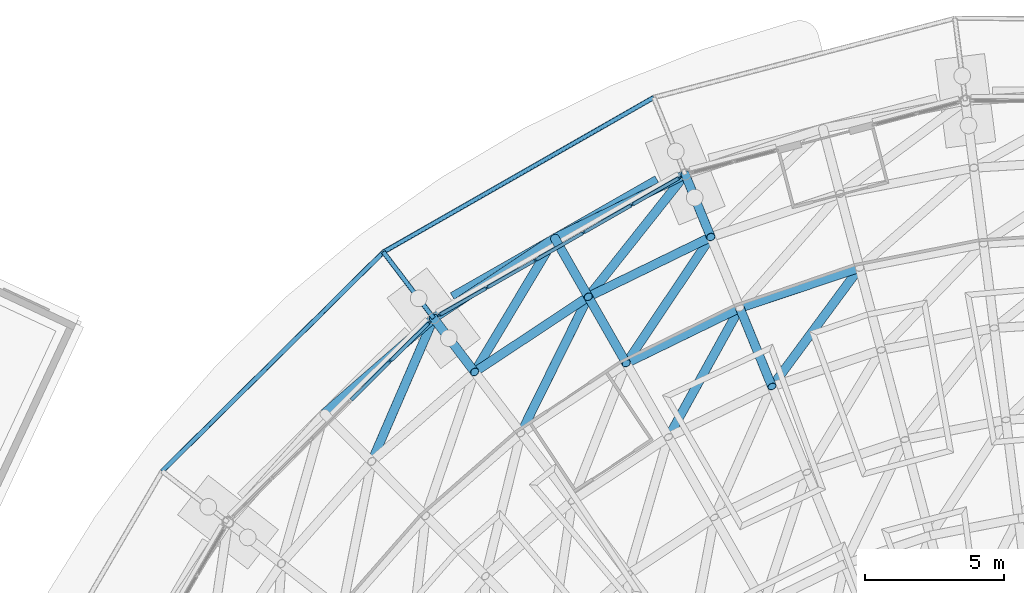
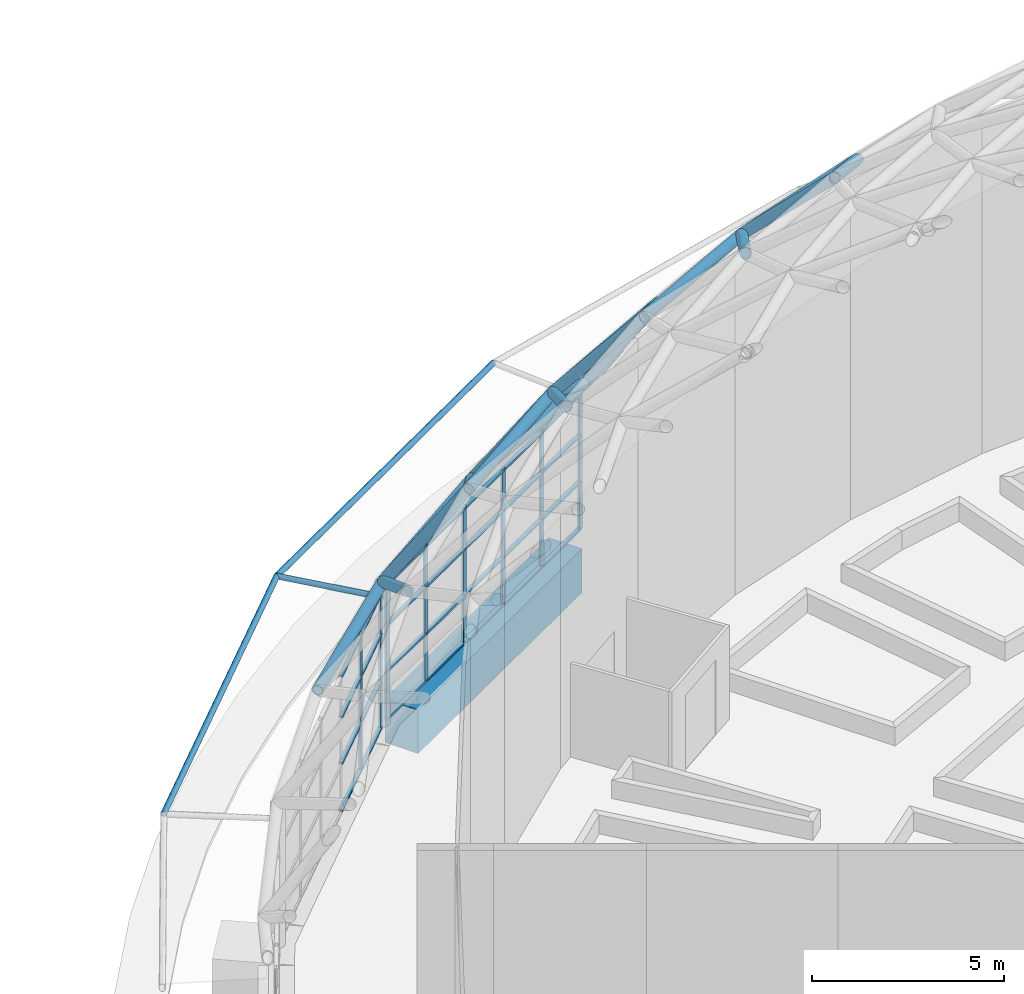
# One storey, part 116 of 226: 58 members, 1 beam, 2 elements without a shape of their own.
"""IFC4 building model written with IfcOpenShell, lengths in metres."""

from ifc_helpers import new_model, si_unit, direction, frame, origin, origin_2d, place, context, subcontext, project, spatial, rectangle, hollow_circle, extrude, material, material_profile, profile_set, type_object, element, aggregate, save


model = new_model("IFC4")

# Units and contexts
model_context = context("Model", 3, precision=1e-05, world=origin(), true_north=direction((0.0, 1.0)))
body_context = subcontext(model_context, "Body", "Model", "MODEL_VIEW")
ifc_project = project(units=[si_unit("LENGTHUNIT", "METRE"), si_unit("AREAUNIT", "SQUARE_METRE"), si_unit("VOLUMEUNIT", "CUBIC_METRE"), si_unit("PLANEANGLEUNIT", "RADIAN"), si_unit("MASSUNIT", "GRAM", prefix="KILO")], contexts=[model_context])

# Site, building, storey
site_placement = place(None, origin())
site = spatial("IfcSite", under=ifc_project, at=site_placement, CompositionType="ELEMENT")
building_placement = place(site_placement, origin())
building = spatial("IfcBuilding", under=site, at=building_placement, Name="Ceibo Conservatory and Research Tower", CompositionType="ELEMENT")
storey_placement = place(building_placement, origin())
storey = spatial("IfcBuildingStorey", under=building, at=storey_placement, Name="L00", CompositionType="ELEMENT", Elevation=0.0)

# Members
ifc_material_1 = material(Name="Steel ASTM A500 Gr C", Category="steel")
ifc_material_profile_1 = material_profile(ifc_material_1, hollow_circle(Radius=0.084228515625, WallThickness=0.007080078125, at=origin_2d()), Name="CHS 168.3x7.11")
ifc_profile_set_1 = profile_set([ifc_material_profile_1], Name="Steel ASTM A500 Gr C")
member_type_1 = type_object("IfcMemberType", Name="CHS 168.3x7.11", PredefinedType="NOTDEFINED", material=ifc_profile_set_1)
member_1_placement = place(storey_placement, frame((131.788330078125, 139.840087890625, 4.0), z_axis=(-0.604686898165, 0.795165709997, -0.045445008883), x_axis=(-0.79598809156, -0.605312281467, 0.0)))
element("IfcMember", 1, at=member_1_placement, inside=storey, type_object=member_type_1, Name="Brim brace bracket A-BK09", PredefinedType="BRACE", context=body_context, shape_type="SweptSolid", body=[
    extrude(hollow_circle(Radius=0.084228515625, WallThickness=0.007080078125, at=origin_2d()), origin(), (0.0, 0.0, 1.0), 3.003173828125),
])
member_2_placement = place(storey_placement, frame((139.718017578125, 147.79833984375, 3.863525390625), z_axis=(-0.868189600267, -0.496232624873, 0.0), x_axis=(0.496232624873, -0.868189600267, 0.0)))
element("IfcMember", 2, at=member_2_placement, inside=storey, type_object=member_type_1, Name="Brim tip ring A-TR12", PredefinedType="CHORD", context=body_context, shape_type="SweptSolid", body=[
    extrude(hollow_circle(Radius=0.084228515625, WallThickness=0.007080078125, at=origin_2d()), origin(), (0.0, 0.0, 1.0), 11.22509765625),
])
member_3_placement = place(storey_placement, frame((129.972412109375, 142.22802734375, 3.863525390625), z_axis=(-0.710199253908, -0.704000724253, 0.0), x_axis=(0.704000724253, -0.710199253908, 0.0)))
element("IfcMember", 3, at=member_3_placement, inside=storey, type_object=member_type_1, Name="Brim tip ring A-TR13", PredefinedType="CHORD", context=body_context, shape_type="SweptSolid", body=[
    extrude(hollow_circle(Radius=0.084228515625, WallThickness=0.007080078125, at=origin_2d()), origin(), (0.0, 0.0, 1.0), 11.225341796875),
])
ifc_material_profile_2 = material_profile(ifc_material_1, hollow_circle(Radius=0.161865234375, WallThickness=0.01025390625, at=origin_2d()), Name="CHS 323.9x10.31")
ifc_profile_set_2 = profile_set([ifc_material_profile_2], Name="Steel ASTM A500 Gr C")
member_type_2 = type_object("IfcMemberType", Name="CHS 323.9x10.31", PredefinedType="NOTDEFINED", material=ifc_profile_set_2)
member_4_placement = place(storey_placement, frame((141.77587890625, 142.76806640625, 8.115966796875), z_axis=(-0.898767012924, -0.438426569084, 0.0), x_axis=(0.438426569084, -0.898767012924, 0.0)))
element("IfcMember", 4, at=member_4_placement, inside=storey, type_object=member_type_2, Name="Gridshell member A-C02-15", PredefinedType="CHORD", context=body_context, shape_type="SweptSolid", body=[
    extrude(hollow_circle(Radius=0.161865234375, WallThickness=0.01025390625, at=origin_2d()), origin(), (0.0, 0.0, 1.0), 4.9130859375),
])
member_5_placement = place(storey_placement, frame((137.360107421875, 140.614013671875, 8.115966796875), z_axis=(-0.833940947759, -0.551853690439, 0.0), x_axis=(0.551853690439, -0.833940947759, 0.0)))
element("IfcMember", 5, at=member_5_placement, inside=storey, type_object=member_type_2, Name="Gridshell member A-C02-16", PredefinedType="CHORD", context=body_context, shape_type="SweptSolid", body=[
    extrude(hollow_circle(Radius=0.161865234375, WallThickness=0.01025390625, at=origin_2d()), origin(), (0.0, 0.0, 1.0), 4.914306640625),
])
member_6_placement = place(storey_placement, frame((147.138916015625, 141.657958984375, 11.489013671875), z_axis=(-0.948301917191, -0.31736961709, 0.0), x_axis=(0.31736961709, -0.948301917191, 0.0)))
element("IfcMember", 6, at=member_6_placement, inside=storey, type_object=member_type_2, Name="Gridshell member A-C03-14", PredefinedType="CHORD", context=body_context, shape_type="SweptSolid", body=[
    extrude(hollow_circle(Radius=0.161865234375, WallThickness=0.01025390625, at=origin_2d()), origin(), (0.0, 0.0, 1.0), 4.55322265625),
])
member_7_placement = place(storey_placement, frame((142.821044921875, 140.212890625, 11.489013671875), z_axis=(-0.898876140445, -0.43820278883, 0.0), x_axis=(0.43820278883, -0.898876140445, 0.0)))
element("IfcMember", 7, at=member_7_placement, inside=storey, type_object=member_type_2, Name="Gridshell member A-C03-15", PredefinedType="CHORD", context=body_context, shape_type="SweptSolid", body=[
    extrude(hollow_circle(Radius=0.161865234375, WallThickness=0.01025390625, at=origin_2d()), origin(), (0.0, 0.0, 1.0), 4.552490234375),
])
ifc_material_profile_3 = material_profile(ifc_material_1, hollow_circle(Radius=0.161865234375, WallThickness=0.01416015625, at=origin_2d()), Name="CHS 323.9x14.27")
ifc_profile_set_3 = profile_set([ifc_material_profile_3], Name="Steel ASTM A500 Gr C")
member_type_3 = type_object("IfcMemberType", Name="CHS 323.9x14.27", PredefinedType="NOTDEFINED", material=ifc_profile_set_3)
member_8_placement = place(storey_placement, frame((140.85400390625, 145.02197265625, 4.5), z_axis=(0.211463901596, -0.517011318733, 0.829446993257), x_axis=(0.925572506321, 0.378570383868, 0.0)))
element("IfcMember", 8, at=member_8_placement, inside=storey, type_object=member_type_3, Name="Gridshell member A-M15-01", PredefinedType="RAFTER", context=body_context, shape_type="SweptSolid", body=[
    extrude(hollow_circle(Radius=0.161865234375, WallThickness=0.01416015625, at=origin_2d()), origin(), (0.0, 0.0, 1.0), 4.359375),
])
member_9_placement = place(storey_placement, frame((136.15087890625, 142.72802734375, 4.5), z_axis=(0.277368582794, -0.48490501886, 0.829417742735), x_axis=(0.868027146183, 0.496516740391, 0.0)))
element("IfcMember", 9, at=member_9_placement, inside=storey, type_object=member_type_3, Name="Gridshell member A-M16-01", PredefinedType="RAFTER", context=body_context, shape_type="SweptSolid", body=[
    extrude(hollow_circle(Radius=0.161865234375, WallThickness=0.01416015625, at=origin_2d()), origin(), (0.0, 0.0, 1.0), 4.359619140625),
])
member_10_placement = place(storey_placement, frame((131.7880859375, 139.840087890625, 4.5), z_axis=(0.338100956033, -0.444566074041, 0.829487039887), x_axis=(0.795963131494, 0.605345102649, 0.0)))
element("IfcMember", 10, at=member_10_placement, inside=storey, type_object=member_type_3, Name="Gridshell member A-M17-01", PredefinedType="RAFTER", context=body_context, shape_type="SweptSolid", body=[
    extrude(hollow_circle(Radius=0.161865234375, WallThickness=0.01416015625, at=origin_2d()), origin(), (0.0, 0.0, 1.0), 4.359375),
])
member_11_placement = place(storey_placement, frame((137.360107421875, 140.614013671875, 8.115966796875), z_axis=(0.314111534403, -0.549793222513, 0.773990540274), x_axis=(0.868281251326, 0.496072241307, 0.0)))
element("IfcMember", 11, at=member_11_placement, inside=storey, type_object=member_type_3, Name="Gridshell member A-M16-02", PredefinedType="RAFTER", context=body_context, shape_type="SweptSolid", body=[
    extrude(hollow_circle(Radius=0.161865234375, WallThickness=0.01416015625, at=origin_2d()), origin(), (0.0, 0.0, 1.0), 4.35791015625),
])
member_12_placement = place(storey_placement, frame((142.821044921875, 140.212890625, 11.489013671875), z_axis=(0.266105010846, -0.650167746981, 0.71166707384), x_axis=(0.925483442956, 0.378788063188, 0.0)))
element("IfcMember", 12, at=member_12_placement, inside=storey, type_object=member_type_3, Name="Gridshell member A-M15-03", PredefinedType="RAFTER", context=body_context, shape_type="SweptSolid", body=[
    extrude(hollow_circle(Radius=0.161865234375, WallThickness=0.01416015625, at=origin_2d()), origin(), (0.0, 0.0, 1.0), 4.35888671875),
])
ifc_material_2 = material(Name="Steel S355J2H", Category="steel")
ifc_material_profile_4 = material_profile(ifc_material_2, hollow_circle(Radius=0.161865234375, WallThickness=0.025390625, at=origin_2d()), Name="CHS 323.9x25.40")
ifc_profile_set_4 = profile_set([ifc_material_profile_4], Name="Steel S355J2H")
member_type_4 = type_object("IfcMemberType", Name="CHS 323.9x25.40", PredefinedType="NOTDEFINED", material=ifc_profile_set_4)
member_13_placement = place(storey_placement, frame((140.85400390625, 145.02197265625, 4.5), z_axis=(-0.898788174479, -0.4383831856, 0.0), x_axis=(0.4383831856, -0.898788174479, 0.0)))
element("IfcMember", 13, at=member_13_placement, inside=storey, type_object=member_type_4, Name="Gridshell member A-C01-15", PredefinedType="CHORD", context=body_context, shape_type="SweptSolid", body=[
    extrude(hollow_circle(Radius=0.161865234375, WallThickness=0.025390625, at=origin_2d()), origin(), (0.0, 0.0, 1.0), 5.232666015625),
])
member_14_placement = place(storey_placement, frame((136.15087890625, 142.72802734375, 4.5), z_axis=(-0.83386208918, -0.551972840118, 0.0), x_axis=(0.551972840118, -0.83386208918, 0.0)))
element("IfcMember", 14, at=member_14_placement, inside=storey, type_object=member_type_4, Name="Gridshell member A-C01-16", PredefinedType="CHORD", context=body_context, shape_type="SweptSolid", body=[
    extrude(hollow_circle(Radius=0.161865234375, WallThickness=0.025390625, at=origin_2d()), origin(), (0.0, 0.0, 1.0), 5.23193359375),
])
member_15_placement = place(storey_placement, frame((131.7880859375, 139.840087890625, 4.5), z_axis=(-0.754679847379, -0.656093231149, 0.0), x_axis=(0.656093231149, -0.754679847379, 0.0)))
element("IfcMember", 15, at=member_15_placement, inside=storey, type_object=member_type_4, Name="Gridshell member A-C01-17", PredefinedType="CHORD", context=body_context, shape_type="SweptSolid", body=[
    extrude(hollow_circle(Radius=0.161865234375, WallThickness=0.025390625, at=origin_2d()), origin(), (0.0, 0.0, 1.0), 5.232666015625),
])
ifc_material_profile_5 = material_profile(ifc_material_1, hollow_circle(Radius=0.161865234375, WallThickness=0.00830078125, at=origin_2d()), Name="CHS 323.9x8.38")
ifc_profile_set_5 = profile_set([ifc_material_profile_5], Name="Steel ASTM A500 Gr C")
member_type_5 = type_object("IfcMemberType", Name="CHS 323.9x8.38", PredefinedType="NOTDEFINED", material=ifc_profile_set_5)
member_16_placement = place(storey_placement, frame((140.85400390625, 145.02197265625, 4.5), z_axis=(-0.522510378698, -0.659207944056, 0.540765929627), x_axis=(0.783676905885, -0.621168662427, 0.0)))
element("IfcMember", 16, at=member_16_placement, inside=storey, type_object=member_type_5, Name="Gridshell diagonal member A-D01-15", PredefinedType="BRACE", context=body_context, shape_type="SweptSolid", body=[
    extrude(hollow_circle(Radius=0.161865234375, WallThickness=0.00830078125, at=origin_2d()), origin(), (0.0, 0.0, 1.0), 6.686767578125),
])
member_17_placement = place(storey_placement, frame((136.15087890625, 142.72802734375, 4.5), z_axis=(-0.432045535026, -0.721731098694, 0.540778029178), x_axis=(0.858013362491, -0.513627364717, 0.0)))
element("IfcMember", 17, at=member_17_placement, inside=storey, type_object=member_type_5, Name="Gridshell diagonal member A-D01-16", PredefinedType="BRACE", context=body_context, shape_type="SweptSolid", body=[
    extrude(hollow_circle(Radius=0.161865234375, WallThickness=0.00830078125, at=origin_2d()), origin(), (0.0, 0.0, 1.0), 6.6865234375),
])
member_18_placement = place(storey_placement, frame((131.7880859375, 139.840087890625, 4.5), z_axis=(-0.334108240434, -0.771979525269, 0.540758075519), x_axis=(0.917736049525, -0.397190814851, 0.0)))
element("IfcMember", 18, at=member_18_placement, inside=storey, type_object=member_type_5, Name="Gridshell diagonal member A-D01-17", PredefinedType="BRACE", context=body_context, shape_type="SweptSolid", body=[
    extrude(hollow_circle(Radius=0.161865234375, WallThickness=0.00830078125, at=origin_2d()), origin(), (0.0, 0.0, 1.0), 6.686767578125),
])
member_19_placement = place(storey_placement, frame((141.77587890625, 142.76806640625, 8.115966796875), z_axis=(-0.473744552646, -0.707466124011, 0.524459514371), x_axis=(0.83090993754, -0.556406933546, 0.0)))
element("IfcMember", 19, at=member_19_placement, inside=storey, type_object=member_type_5, Name="Gridshell diagonal member A-D02-15", PredefinedType="BRACE", context=body_context, shape_type="SweptSolid", body=[
    extrude(hollow_circle(Radius=0.161865234375, WallThickness=0.00830078125, at=origin_2d()), origin(), (0.0, 0.0, 1.0), 6.431396484375),
])
member_20_placement = place(storey_placement, frame((137.360107421875, 140.614013671875, 8.115966796875), z_axis=(-0.37735607342, -0.763253049819, 0.524449402512), x_axis=(0.896424412591, -0.443196652189, 0.0)))
element("IfcMember", 20, at=member_20_placement, inside=storey, type_object=member_type_5, Name="Gridshell diagonal member A-D02-16", PredefinedType="BRACE", context=body_context, shape_type="SweptSolid", body=[
    extrude(hollow_circle(Radius=0.161865234375, WallThickness=0.00830078125, at=origin_2d()), origin(), (0.0, 0.0, 1.0), 6.431640625),
])
member_21_placement = place(storey_placement, frame((147.138916015625, 141.657958984375, 11.489013671875), z_axis=(-0.51292531183, -0.695016771584, 0.50384453128), x_axis=(0.804609068462, -0.59380488963, 0.0)))
element("IfcMember", 21, at=member_21_placement, inside=storey, type_object=member_type_5, Name="Gridshell diagonal member A-D03-14", PredefinedType="BRACE", context=body_context, shape_type="SweptSolid", body=[
    extrude(hollow_circle(Radius=0.161865234375, WallThickness=0.00830078125, at=origin_2d()), origin(), (0.0, 0.0, 1.0), 6.15673828125),
])
member_22_placement = place(storey_placement, frame((142.821044921875, 140.212890625, 11.489013671875), z_axis=(-0.417809397577, -0.75598317386, 0.503909464226), x_axis=(0.875227212572, -0.483712028352, 0.0)))
element("IfcMember", 22, at=member_22_placement, inside=storey, type_object=member_type_5, Name="Gridshell diagonal member A-D03-15", PredefinedType="BRACE", context=body_context, shape_type="SweptSolid", body=[
    extrude(hollow_circle(Radius=0.161865234375, WallThickness=0.00830078125, at=origin_2d()), origin(), (0.0, 0.0, 1.0), 6.156005859375),
])

# Curtain wall, members
ifc_material_3 = material(Name="Aluminium and glass", Category="aluminium")
curtain_wall_type = type_object("IfcCurtainWallType", Name="Drum curtain wall", PredefinedType="NOTDEFINED", material=ifc_material_3)
curtain_wall_1_placement = place(storey_placement, origin())
curtain_wall_1 = element("IfcCurtainWall", 23, at=curtain_wall_1_placement, inside=storey, type_object=curtain_wall_type, Name="Drum curtain wall A-CW08", PredefinedType="NOTDEFINED")
ifc_material_4 = material(Name="Aluminium", Category="aluminium")
ifc_material_profile_6 = material_profile(ifc_material_4, rectangle(XDim=0.06005859375, YDim=0.159912109375, at=origin_2d()), Name="AL 60x160")
ifc_profile_set_6 = profile_set([ifc_material_profile_6], Name="Aluminium")
member_type_6 = type_object("IfcMemberType", Name="Drum mullion 60x160", PredefinedType="MULLION", material=ifc_profile_set_6)
member_23_placement = place(storey_placement, frame((140.651611328125, 144.906005859375, 0.0), z_axis=(0.0, 0.0, 1.0), x_axis=(0.49621649228, -0.868198821002, 0.0)))
member_23 = element("IfcMember", 24, at=member_23_placement, type_object=member_type_6, Name="A-CW08 mullion 1", PredefinedType="MULLION", context=body_context, shape_type="SweptSolid", body=[
    extrude(rectangle(XDim=0.06005859375, YDim=0.159912109375, at=origin_2d()), origin(), (0.0, 0.0, 1.0), 4.338134765625),
])
member_24_placement = place(storey_placement, frame((138.93505859375, 143.9248046875, 0.0), z_axis=(0.0, 0.0, 1.0), x_axis=(0.49621649228, -0.868198821002, 0.0)))
member_24 = element("IfcMember", 25, at=member_24_placement, type_object=member_type_6, Name="A-CW08 mullion 2", PredefinedType="MULLION", context=body_context, shape_type="SweptSolid", body=[
    extrude(rectangle(XDim=0.06005859375, YDim=0.159912109375, at=origin_2d()), origin(), (0.0, 0.0, 1.0), 4.338134765625),
])
member_25_placement = place(storey_placement, frame((137.1923828125, 142.928955078125, 0.0), z_axis=(0.0, 0.0, 1.0), x_axis=(0.49621649228, -0.868198821002, 0.0)))
member_25 = element("IfcMember", 26, at=member_25_placement, type_object=member_type_6, Name="A-CW08 mullion 3", PredefinedType="MULLION", context=body_context, shape_type="SweptSolid", body=[
    extrude(rectangle(XDim=0.06005859375, YDim=0.159912109375, at=origin_2d()), origin(), (0.0, 0.0, 1.0), 4.338134765625),
])
member_26_placement = place(storey_placement, frame((135.449951171875, 141.932861328125, 0.0), z_axis=(0.0, 0.0, 1.0), x_axis=(0.49621649228, -0.868198821002, 0.0)))
member_26 = element("IfcMember", 27, at=member_26_placement, type_object=member_type_6, Name="A-CW08 mullion 4", PredefinedType="MULLION", context=body_context, shape_type="SweptSolid", body=[
    extrude(rectangle(XDim=0.06005859375, YDim=0.159912109375, at=origin_2d()), origin(), (0.0, 0.0, 1.0), 4.338134765625),
])
member_27_placement = place(storey_placement, frame((133.707275390625, 140.936767578125, 0.0), z_axis=(0.0, 0.0, 1.0), x_axis=(0.49621649228, -0.868198821002, 0.0)))
member_27 = element("IfcMember", 28, at=member_27_placement, type_object=member_type_6, Name="A-CW08 mullion 5", PredefinedType="MULLION", context=body_context, shape_type="SweptSolid", body=[
    extrude(rectangle(XDim=0.06005859375, YDim=0.159912109375, at=origin_2d()), origin(), (0.0, 0.0, 1.0), 4.338134765625),
])
member_28_placement = place(storey_placement, frame((131.99072265625, 139.955810546875, 0.0), z_axis=(0.0, 0.0, 1.0), x_axis=(0.49621649228, -0.868198821002, 0.0)))
member_28 = element("IfcMember", 29, at=member_28_placement, type_object=member_type_6, Name="A-CW08 mullion 6", PredefinedType="MULLION", context=body_context, shape_type="SweptSolid", body=[
    extrude(rectangle(XDim=0.06005859375, YDim=0.159912109375, at=origin_2d()), origin(), (0.0, 0.0, 1.0), 4.338134765625),
])

curtain_wall_2_placement = place(storey_placement, origin())
curtain_wall_2 = element("IfcCurtainWall", 30, at=curtain_wall_2_placement, inside=storey, type_object=curtain_wall_type, Name="Drum curtain wall A-CW09", PredefinedType="NOTDEFINED")
member_29_placement = place(storey_placement, frame((131.62255859375, 139.676025390625, 0.0), z_axis=(0.0, 0.0, 1.0), x_axis=(0.704014749779, -0.71018535052, 0.0)))
member_29 = element("IfcMember", 31, at=member_29_placement, type_object=member_type_6, Name="A-CW09 mullion 1", PredefinedType="MULLION", context=body_context, shape_type="SweptSolid", body=[
    extrude(rectangle(XDim=0.06005859375, YDim=0.159912109375, at=origin_2d()), origin(), (0.0, 0.0, 1.0), 4.338134765625),
])
member_30_placement = place(storey_placement, frame((130.218505859375, 138.283935546875, 0.0), z_axis=(0.0, 0.0, 1.0), x_axis=(0.704014749779, -0.71018535052, 0.0)))
member_30 = element("IfcMember", 32, at=member_30_placement, type_object=member_type_6, Name="A-CW09 mullion 2", PredefinedType="MULLION", context=body_context, shape_type="SweptSolid", body=[
    extrude(rectangle(XDim=0.06005859375, YDim=0.159912109375, at=origin_2d()), origin(), (0.0, 0.0, 1.0), 4.338134765625),
])

# Member
ifc_material_profile_7 = material_profile(ifc_material_4, rectangle(XDim=0.1201171875, YDim=0.06005859375, at=origin_2d()), Name="AL 60x120")
ifc_profile_set_7 = profile_set([ifc_material_profile_7], Name="Aluminium")
member_type_7 = type_object("IfcMemberType", Name="Drum transom 60x120", PredefinedType="USERDEFINED", material=ifc_profile_set_7)
member_31_placement = place(storey_placement, frame((140.62548828125, 144.89111328125, 0.030029296875), z_axis=(-0.868156921675, -0.496289793717, 0.0), x_axis=(0.496289793717, -0.868156921675, 0.0)))
member_31 = element("IfcMember", 33, at=member_31_placement, type_object=member_type_7, Name="A-CW08 transom 1.1", ObjectType="TRANSOM", PredefinedType="USERDEFINED", context=body_context, shape_type="SweptSolid", body=[
    extrude(rectangle(XDim=0.1201171875, YDim=0.06005859375, at=origin_2d()), origin(), (0.0, 0.0, 1.0), 1.9169921875),
])

member_32_placement = place(storey_placement, frame((140.62548828125, 144.89111328125, 1.530029296875), z_axis=(-0.868156921675, -0.496289793717, 0.0), x_axis=(0.496289793717, -0.868156921675, 0.0)))
member_32 = element("IfcMember", 34, at=member_32_placement, type_object=member_type_7, Name="A-CW08 transom 1.2", ObjectType="TRANSOM", PredefinedType="USERDEFINED", context=body_context, shape_type="SweptSolid", body=[
    extrude(rectangle(XDim=0.1201171875, YDim=0.06005859375, at=origin_2d()), origin(), (0.0, 0.0, 1.0), 1.9169921875),
])

member_33_placement = place(storey_placement, frame((140.62548828125, 144.89111328125, 3.014892578125), z_axis=(-0.868156921675, -0.496289793717, 0.0), x_axis=(0.496289793717, -0.868156921675, 0.0)))
member_33 = element("IfcMember", 35, at=member_33_placement, type_object=member_type_7, Name="A-CW08 transom 1.3", ObjectType="TRANSOM", PredefinedType="USERDEFINED", context=body_context, shape_type="SweptSolid", body=[
    extrude(rectangle(XDim=0.1201171875, YDim=0.06005859375, at=origin_2d()), origin(), (0.0, 0.0, 1.0), 1.9169921875),
])

member_34_placement = place(storey_placement, frame((140.62548828125, 144.89111328125, 4.30810546875), z_axis=(-0.868156921675, -0.496289793717, 0.0), x_axis=(0.496289793717, -0.868156921675, 0.0)))
member_34 = element("IfcMember", 36, at=member_34_placement, type_object=member_type_7, Name="A-CW08 transom 1.4", ObjectType="TRANSOM", PredefinedType="USERDEFINED", context=body_context, shape_type="SweptSolid", body=[
    extrude(rectangle(XDim=0.1201171875, YDim=0.06005859375, at=origin_2d()), origin(), (0.0, 0.0, 1.0), 1.9169921875),
])

member_35_placement = place(storey_placement, frame((138.908935546875, 143.909912109375, 0.030029296875), z_axis=(-0.868165971604, -0.496273962393, 0.0), x_axis=(0.496273962393, -0.868165971604, 0.0)))
member_35 = element("IfcMember", 37, at=member_35_placement, type_object=member_type_7, Name="A-CW08 transom 2.1", ObjectType="TRANSOM", PredefinedType="USERDEFINED", context=body_context, shape_type="SweptSolid", body=[
    extrude(rectangle(XDim=0.1201171875, YDim=0.06005859375, at=origin_2d()), origin(), (0.0, 0.0, 1.0), 1.947021484375),
])

member_36_placement = place(storey_placement, frame((138.908935546875, 143.909912109375, 1.530029296875), z_axis=(-0.868165971604, -0.496273962393, 0.0), x_axis=(0.496273962393, -0.868165971604, 0.0)))
member_36 = element("IfcMember", 38, at=member_36_placement, type_object=member_type_7, Name="A-CW08 transom 2.2", ObjectType="TRANSOM", PredefinedType="USERDEFINED", context=body_context, shape_type="SweptSolid", body=[
    extrude(rectangle(XDim=0.1201171875, YDim=0.06005859375, at=origin_2d()), origin(), (0.0, 0.0, 1.0), 1.947021484375),
])

member_37_placement = place(storey_placement, frame((138.908935546875, 143.909912109375, 3.014892578125), z_axis=(-0.868165971604, -0.496273962393, 0.0), x_axis=(0.496273962393, -0.868165971604, 0.0)))
member_37 = element("IfcMember", 39, at=member_37_placement, type_object=member_type_7, Name="A-CW08 transom 2.3", ObjectType="TRANSOM", PredefinedType="USERDEFINED", context=body_context, shape_type="SweptSolid", body=[
    extrude(rectangle(XDim=0.1201171875, YDim=0.06005859375, at=origin_2d()), origin(), (0.0, 0.0, 1.0), 1.947021484375),
])

member_38_placement = place(storey_placement, frame((138.908935546875, 143.909912109375, 4.30810546875), z_axis=(-0.868165971604, -0.496273962393, 0.0), x_axis=(0.496273962393, -0.868165971604, 0.0)))
member_38 = element("IfcMember", 40, at=member_38_placement, type_object=member_type_7, Name="A-CW08 transom 2.4", ObjectType="TRANSOM", PredefinedType="USERDEFINED", context=body_context, shape_type="SweptSolid", body=[
    extrude(rectangle(XDim=0.1201171875, YDim=0.06005859375, at=origin_2d()), origin(), (0.0, 0.0, 1.0), 1.947021484375),
])

member_39_placement = place(storey_placement, frame((137.16650390625, 142.9140625, 0.030029296875), z_axis=(-0.868196847372, -0.496219945401, 0.0), x_axis=(0.496219945401, -0.868196847372, 0.0)))
member_39 = element("IfcMember", 41, at=member_39_placement, type_object=member_type_7, Name="A-CW08 transom 3.1", ObjectType="TRANSOM", PredefinedType="USERDEFINED", context=body_context, shape_type="SweptSolid", body=[
    extrude(rectangle(XDim=0.1201171875, YDim=0.06005859375, at=origin_2d()), origin(), (0.0, 0.0, 1.0), 1.947265625),
])

member_40_placement = place(storey_placement, frame((137.16650390625, 142.9140625, 1.530029296875), z_axis=(-0.868196847372, -0.496219945401, 0.0), x_axis=(0.496219945401, -0.868196847372, 0.0)))
member_40 = element("IfcMember", 42, at=member_40_placement, type_object=member_type_7, Name="A-CW08 transom 3.2", ObjectType="TRANSOM", PredefinedType="USERDEFINED", context=body_context, shape_type="SweptSolid", body=[
    extrude(rectangle(XDim=0.1201171875, YDim=0.06005859375, at=origin_2d()), origin(), (0.0, 0.0, 1.0), 1.947265625),
])

member_41_placement = place(storey_placement, frame((137.16650390625, 142.9140625, 3.014892578125), z_axis=(-0.868196847372, -0.496219945401, 0.0), x_axis=(0.496219945401, -0.868196847372, 0.0)))
member_41 = element("IfcMember", 43, at=member_41_placement, type_object=member_type_7, Name="A-CW08 transom 3.3", ObjectType="TRANSOM", PredefinedType="USERDEFINED", context=body_context, shape_type="SweptSolid", body=[
    extrude(rectangle(XDim=0.1201171875, YDim=0.06005859375, at=origin_2d()), origin(), (0.0, 0.0, 1.0), 1.947265625),
])

member_42_placement = place(storey_placement, frame((137.16650390625, 142.9140625, 4.30810546875), z_axis=(-0.868196847372, -0.496219945401, 0.0), x_axis=(0.496219945401, -0.868196847372, 0.0)))
member_42 = element("IfcMember", 44, at=member_42_placement, type_object=member_type_7, Name="A-CW08 transom 3.4", ObjectType="TRANSOM", PredefinedType="USERDEFINED", context=body_context, shape_type="SweptSolid", body=[
    extrude(rectangle(XDim=0.1201171875, YDim=0.06005859375, at=origin_2d()), origin(), (0.0, 0.0, 1.0), 1.947265625),
])

member_43_placement = place(storey_placement, frame((135.423828125, 141.91796875, 0.030029296875), z_axis=(-0.868165971604, -0.496273962393, 0.0), x_axis=(0.496273962393, -0.868165971604, 0.0)))
member_43 = element("IfcMember", 45, at=member_43_placement, type_object=member_type_7, Name="A-CW08 transom 4.1", ObjectType="TRANSOM", PredefinedType="USERDEFINED", context=body_context, shape_type="SweptSolid", body=[
    extrude(rectangle(XDim=0.1201171875, YDim=0.06005859375, at=origin_2d()), origin(), (0.0, 0.0, 1.0), 1.947021484375),
])

member_44_placement = place(storey_placement, frame((135.423828125, 141.91796875, 1.530029296875), z_axis=(-0.868165971604, -0.496273962393, 0.0), x_axis=(0.496273962393, -0.868165971604, 0.0)))
member_44 = element("IfcMember", 46, at=member_44_placement, type_object=member_type_7, Name="A-CW08 transom 4.2", ObjectType="TRANSOM", PredefinedType="USERDEFINED", context=body_context, shape_type="SweptSolid", body=[
    extrude(rectangle(XDim=0.1201171875, YDim=0.06005859375, at=origin_2d()), origin(), (0.0, 0.0, 1.0), 1.947021484375),
])

member_45_placement = place(storey_placement, frame((135.423828125, 141.91796875, 3.014892578125), z_axis=(-0.868165971604, -0.496273962393, 0.0), x_axis=(0.496273962393, -0.868165971604, 0.0)))
member_45 = element("IfcMember", 47, at=member_45_placement, type_object=member_type_7, Name="A-CW08 transom 4.3", ObjectType="TRANSOM", PredefinedType="USERDEFINED", context=body_context, shape_type="SweptSolid", body=[
    extrude(rectangle(XDim=0.1201171875, YDim=0.06005859375, at=origin_2d()), origin(), (0.0, 0.0, 1.0), 1.947021484375),
])

member_46_placement = place(storey_placement, frame((135.423828125, 141.91796875, 4.30810546875), z_axis=(-0.868165971604, -0.496273962393, 0.0), x_axis=(0.496273962393, -0.868165971604, 0.0)))
member_46 = element("IfcMember", 48, at=member_46_placement, type_object=member_type_7, Name="A-CW08 transom 4.4", ObjectType="TRANSOM", PredefinedType="USERDEFINED", context=body_context, shape_type="SweptSolid", body=[
    extrude(rectangle(XDim=0.1201171875, YDim=0.06005859375, at=origin_2d()), origin(), (0.0, 0.0, 1.0), 1.947021484375),
])

member_47_placement = place(storey_placement, frame((133.68115234375, 140.922119140625, 0.030029296875), z_axis=(-0.868156921675, -0.496289793717, 0.0), x_axis=(0.496289793717, -0.868156921675, 0.0)))
member_47 = element("IfcMember", 49, at=member_47_placement, type_object=member_type_7, Name="A-CW08 transom 5.1", ObjectType="TRANSOM", PredefinedType="USERDEFINED", context=body_context, shape_type="SweptSolid", body=[
    extrude(rectangle(XDim=0.1201171875, YDim=0.06005859375, at=origin_2d()), origin(), (0.0, 0.0, 1.0), 1.9169921875),
])

member_48_placement = place(storey_placement, frame((133.68115234375, 140.922119140625, 1.530029296875), z_axis=(-0.868156921675, -0.496289793717, 0.0), x_axis=(0.496289793717, -0.868156921675, 0.0)))
member_48 = element("IfcMember", 50, at=member_48_placement, type_object=member_type_7, Name="A-CW08 transom 5.2", ObjectType="TRANSOM", PredefinedType="USERDEFINED", context=body_context, shape_type="SweptSolid", body=[
    extrude(rectangle(XDim=0.1201171875, YDim=0.06005859375, at=origin_2d()), origin(), (0.0, 0.0, 1.0), 1.9169921875),
])

member_49_placement = place(storey_placement, frame((133.68115234375, 140.922119140625, 3.014892578125), z_axis=(-0.868156921675, -0.496289793717, 0.0), x_axis=(0.496289793717, -0.868156921675, 0.0)))
member_49 = element("IfcMember", 51, at=member_49_placement, type_object=member_type_7, Name="A-CW08 transom 5.3", ObjectType="TRANSOM", PredefinedType="USERDEFINED", context=body_context, shape_type="SweptSolid", body=[
    extrude(rectangle(XDim=0.1201171875, YDim=0.06005859375, at=origin_2d()), origin(), (0.0, 0.0, 1.0), 1.9169921875),
])

member_50_placement = place(storey_placement, frame((133.68115234375, 140.922119140625, 4.30810546875), z_axis=(-0.868156921675, -0.496289793717, 0.0), x_axis=(0.496289793717, -0.868156921675, 0.0)))
member_50 = element("IfcMember", 52, at=member_50_placement, type_object=member_type_7, Name="A-CW08 transom 5.4", ObjectType="TRANSOM", PredefinedType="USERDEFINED", context=body_context, shape_type="SweptSolid", body=[
    extrude(rectangle(XDim=0.1201171875, YDim=0.06005859375, at=origin_2d()), origin(), (0.0, 0.0, 1.0), 1.9169921875),
])

aggregate(curtain_wall_1, [member_23, member_24, member_25, member_26, member_27, member_28, member_31, member_32, member_33, member_34, member_35, member_36, member_37, member_38, member_39, member_40, member_41, member_42, member_43, member_44, member_45, member_46, member_47, member_48, member_49, member_50])

member_51_placement = place(storey_placement, frame((131.601318359375, 139.65478515625, 0.030029296875), z_axis=(-0.710219924339, -0.703979871212, 0.0), x_axis=(0.703979871212, -0.710219924339, 0.0)))
member_51 = element("IfcMember", 53, at=member_51_placement, type_object=member_type_7, Name="A-CW09 transom 1.1", ObjectType="TRANSOM", PredefinedType="USERDEFINED", context=body_context, shape_type="SweptSolid", body=[
    extrude(rectangle(XDim=0.1201171875, YDim=0.06005859375, at=origin_2d()), origin(), (0.0, 0.0, 1.0), 1.9169921875),
])

member_52_placement = place(storey_placement, frame((131.601318359375, 139.65478515625, 1.530029296875), z_axis=(-0.710219924339, -0.703979871212, 0.0), x_axis=(0.703979871212, -0.710219924339, 0.0)))
member_52 = element("IfcMember", 54, at=member_52_placement, type_object=member_type_7, Name="A-CW09 transom 1.2", ObjectType="TRANSOM", PredefinedType="USERDEFINED", context=body_context, shape_type="SweptSolid", body=[
    extrude(rectangle(XDim=0.1201171875, YDim=0.06005859375, at=origin_2d()), origin(), (0.0, 0.0, 1.0), 1.9169921875),
])

member_53_placement = place(storey_placement, frame((131.601318359375, 139.65478515625, 3.014892578125), z_axis=(-0.710219924339, -0.703979871212, 0.0), x_axis=(0.703979871212, -0.710219924339, 0.0)))
member_53 = element("IfcMember", 55, at=member_53_placement, type_object=member_type_7, Name="A-CW09 transom 1.3", ObjectType="TRANSOM", PredefinedType="USERDEFINED", context=body_context, shape_type="SweptSolid", body=[
    extrude(rectangle(XDim=0.1201171875, YDim=0.06005859375, at=origin_2d()), origin(), (0.0, 0.0, 1.0), 1.9169921875),
])

member_54_placement = place(storey_placement, frame((131.601318359375, 139.65478515625, 4.30810546875), z_axis=(-0.710219924339, -0.703979871212, 0.0), x_axis=(0.703979871212, -0.710219924339, 0.0)))
member_54 = element("IfcMember", 56, at=member_54_placement, type_object=member_type_7, Name="A-CW09 transom 1.4", ObjectType="TRANSOM", PredefinedType="USERDEFINED", context=body_context, shape_type="SweptSolid", body=[
    extrude(rectangle(XDim=0.1201171875, YDim=0.06005859375, at=origin_2d()), origin(), (0.0, 0.0, 1.0), 1.9169921875),
])

member_55_placement = place(storey_placement, frame((130.197265625, 138.262939453125, 0.030029296875), z_axis=(-0.710172003657, -0.704028213371, 0.0), x_axis=(0.704028213371, -0.710172003657, 0.0)))
member_55 = element("IfcMember", 57, at=member_55_placement, type_object=member_type_7, Name="A-CW09 transom 2.1", ObjectType="TRANSOM", PredefinedType="USERDEFINED", context=body_context, shape_type="SweptSolid", body=[
    extrude(rectangle(XDim=0.1201171875, YDim=0.06005859375, at=origin_2d()), origin(), (0.0, 0.0, 1.0), 1.947265625),
])

member_56_placement = place(storey_placement, frame((130.197265625, 138.262939453125, 1.530029296875), z_axis=(-0.710172003657, -0.704028213371, 0.0), x_axis=(0.704028213371, -0.710172003657, 0.0)))
member_56 = element("IfcMember", 58, at=member_56_placement, type_object=member_type_7, Name="A-CW09 transom 2.2", ObjectType="TRANSOM", PredefinedType="USERDEFINED", context=body_context, shape_type="SweptSolid", body=[
    extrude(rectangle(XDim=0.1201171875, YDim=0.06005859375, at=origin_2d()), origin(), (0.0, 0.0, 1.0), 1.947265625),
])

member_57_placement = place(storey_placement, frame((130.197265625, 138.262939453125, 3.014892578125), z_axis=(-0.710172003657, -0.704028213371, 0.0), x_axis=(0.704028213371, -0.710172003657, 0.0)))
member_57 = element("IfcMember", 59, at=member_57_placement, type_object=member_type_7, Name="A-CW09 transom 2.3", ObjectType="TRANSOM", PredefinedType="USERDEFINED", context=body_context, shape_type="SweptSolid", body=[
    extrude(rectangle(XDim=0.1201171875, YDim=0.06005859375, at=origin_2d()), origin(), (0.0, 0.0, 1.0), 1.947265625),
])

member_58_placement = place(storey_placement, frame((130.197265625, 138.262939453125, 4.30810546875), z_axis=(-0.710172003657, -0.704028213371, 0.0), x_axis=(0.704028213371, -0.710172003657, 0.0)))
member_58 = element("IfcMember", 60, at=member_58_placement, type_object=member_type_7, Name="A-CW09 transom 2.4", ObjectType="TRANSOM", PredefinedType="USERDEFINED", context=body_context, shape_type="SweptSolid", body=[
    extrude(rectangle(XDim=0.1201171875, YDim=0.06005859375, at=origin_2d()), origin(), (0.0, 0.0, 1.0), 1.947265625),
])

aggregate(curtain_wall_2, [member_29, member_30, member_51, member_52, member_53, member_54, member_55, member_56, member_57, member_58])

# Beam
ifc_material_5 = material(Name="Concrete C35/45", Category="concrete")
ifc_material_profile_8 = material_profile(ifc_material_5, rectangle(XDim=1.0, YDim=1.39990234375, at=origin_2d()), Name="RC 1000x1400")
ifc_profile_set_8 = profile_set([ifc_material_profile_8], Name="Concrete C35/45")
beam_type = type_object("IfcBeamType", Name="RC ring beam 1000x1400", PredefinedType="BEAM", material=ifc_profile_set_8)
beam_placement = place(storey_placement, frame((140.0078125, 144.5380859375, -0.699951171875), z_axis=(-0.86819714424, -0.496219425994, 0.0), x_axis=(0.496219425994, -0.86819714424, 0.0)))
element("IfcBeam", 61, at=beam_placement, inside=storey, type_object=beam_type, Name="Drum ring beam A-RB08", PredefinedType="BEAM", context=body_context, shape_type="SweptSolid", body=[
    extrude(rectangle(XDim=1.0, YDim=1.39990234375, at=origin_2d()), origin(), (0.0, 0.0, 1.0), 8.492919921875),
])

save(model, "model.ifc")
